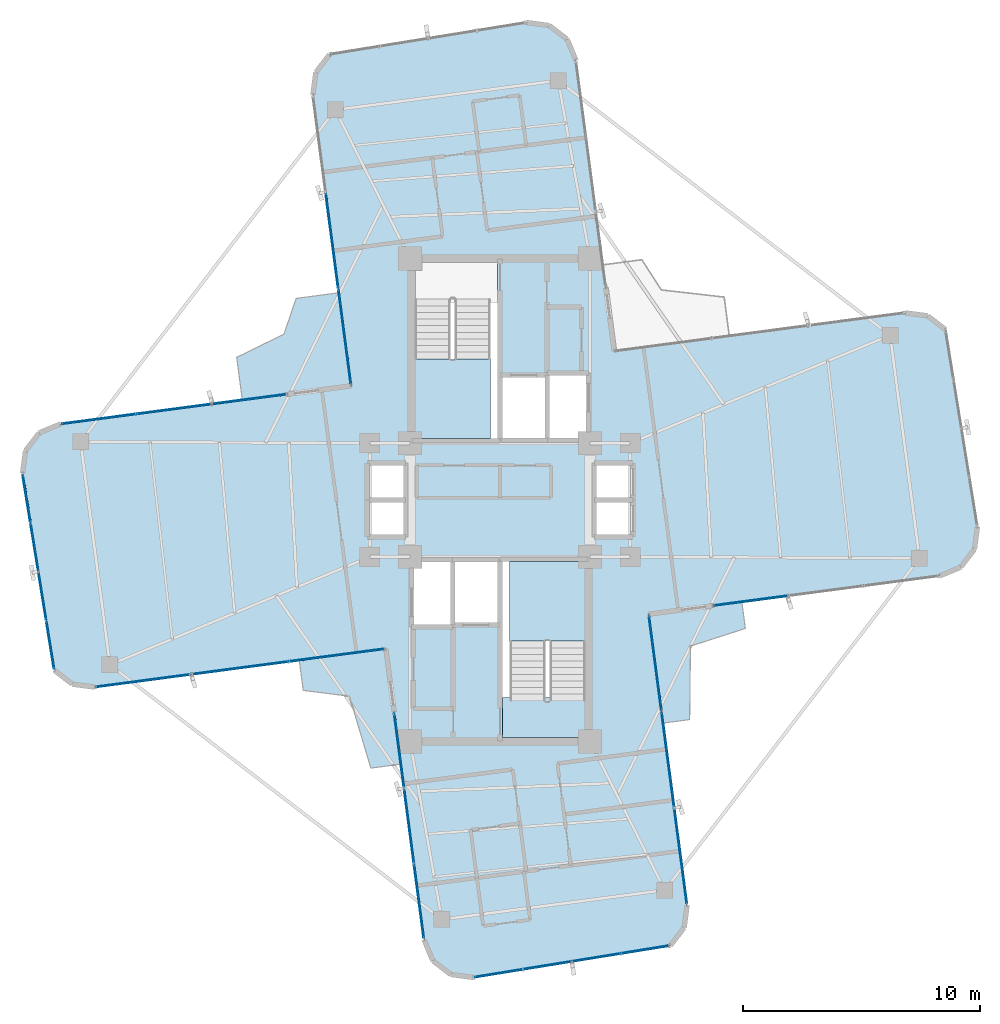
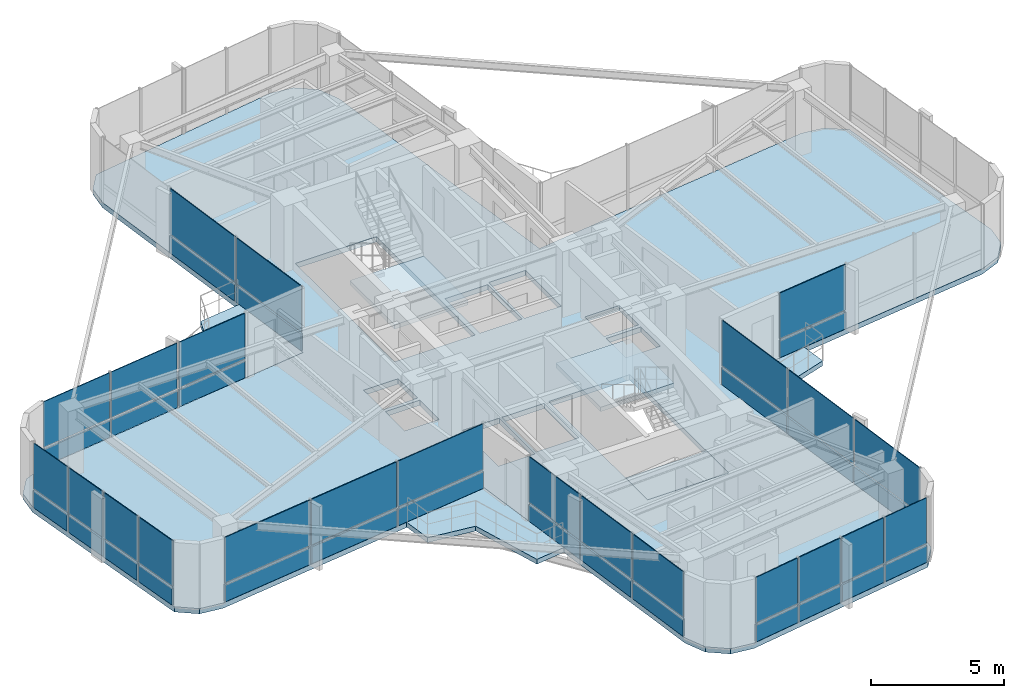
# One storey, part 17 of 22: 46 plates, 7 slabs, 10 elements without a shape of their own.
"""IFC4 building model written with IfcOpenShell, lengths in metres."""

import ifcopenshell
import ifcopenshell.guid

model = None  # the IFC model being written
_history = None  # IfcOwnerHistory: only IFC2X3 demands one
_inside = {}  # id of a spatial element -> (the spatial element, [elements in it])
_under = {}  # id of a project, library or spatial element -> (it, [spatial elements below it])
_declared = {}  # id of a project -> (the project, [libraries it declares])
_typed = {}  # id of a type object -> (the type object, [elements of that type])
_made_of = {}  # id of a material, layer set ... -> (it, [elements and type objects made of it])


def new_model(schema):
    """Start an empty IFC model of exactly this schema.

    Asked for "IFC4X3", IfcOpenShell would pick the latest addendum, in which some entities
    have other attributes; the version numbers below select the first issue.
    IFC2X3 requires an IfcOwnerHistory on every rooted entity: one is made here for all.
    """
    global model, _history
    if schema == "IFC4X3":
        model = ifcopenshell.file(schema_version=(4, 3, 0, 0))
    else:
        model = ifcopenshell.file(schema=schema)
    _inside.clear()
    _under.clear()
    _declared.clear()
    _typed.clear()
    _made_of.clear()
    _history = None
    if model.schema == "IFC2X3":
        org = make("IfcOrganization", Name="unknown")
        user = make(
            "IfcPersonAndOrganization",
            ThePerson=make("IfcPerson", FamilyName="unknown"),
            TheOrganization=org,
        )
        app = make(
            "IfcApplication",
            ApplicationDeveloper=org,
            Version="unknown",
            ApplicationFullName="unknown",
            ApplicationIdentifier="unknown",
        )
        _history = make(
            "IfcOwnerHistory",
            OwningUser=user,
            OwningApplication=app,
            ChangeAction="ADDED",
            CreationDate=0,
        )
    return model


def make(cls, **values):
    """One entity of the class cls with the attributes given. An attribute that is None is left unset."""
    return model.create_entity(
        cls, **{name: value for name, value in values.items() if value is not None}
    )


def rooted(cls, **values):
    """An entity with a GlobalId (a new one), such as an element, a storey or a relation."""
    return make(cls, GlobalId=ifcopenshell.guid.new(), OwnerHistory=_history, **values)


def si_unit(unit_type, name, prefix=None):
    """IfcSIUnit, for example si_unit("LENGTHUNIT", "METRE", prefix="MILLI")."""
    return make("IfcSIUnit", UnitType=unit_type, Prefix=prefix, Name=name)


def assignment(units):
    """IfcUnitAssignment: the units of a project."""
    return None if units is None else make("IfcUnitAssignment", Units=units)


def point(xyz):
    """IfcCartesianPoint."""
    return None if xyz is None else make("IfcCartesianPoint", Coordinates=xyz)


def direction(xyz):
    """IfcDirection."""
    return None if xyz is None else make("IfcDirection", DirectionRatios=xyz)


def frame(location, z_axis=None, x_axis=None):
    """IfcAxis2Placement3D, a coordinate frame: its origin and axes. An axis left out is left unset."""
    return make(
        "IfcAxis2Placement3D",
        Location=point(location),
        Axis=direction(z_axis),
        RefDirection=direction(x_axis),
    )


def frame_2d(location, x_axis=None):
    """IfcAxis2Placement2D, a coordinate frame in the plane: its origin and x axis."""
    return make(
        "IfcAxis2Placement2D", Location=point(location), RefDirection=direction(x_axis)
    )


def origin():
    """The frame at (0, 0, 0) with its axes left unset."""
    return frame((0.0, 0.0, 0.0))


def origin_2d():
    """The frame at (0, 0) in the plane with its x axis left unset."""
    return frame_2d((0.0, 0.0))


def place(relative_to, where):
    """IfcLocalPlacement: puts the frame where relative to a parent placement (None: the world)."""
    return make(
        "IfcLocalPlacement", PlacementRelTo=relative_to, RelativePlacement=where
    )


def context(
    kind, dimensions, precision=None, world=None, true_north=None, identifier=None
):
    """IfcGeometricRepresentationContext, for example the 3D "Model" context."""
    return make(
        "IfcGeometricRepresentationContext",
        ContextIdentifier=identifier,
        ContextType=kind,
        CoordinateSpaceDimension=dimensions,
        Precision=precision,
        WorldCoordinateSystem=world,
        TrueNorth=true_north,
    )


def subcontext(parent, identifier, kind, view, scale=None):
    """IfcGeometricRepresentationSubContext, for example "Body" below "Model"."""
    return make(
        "IfcGeometricRepresentationSubContext",
        ContextIdentifier=identifier,
        ContextType=kind,
        ParentContext=parent,
        TargetScale=scale,
        TargetView=view,
    )


def project(units=None, contexts=None):
    """IfcProject with its units and contexts."""
    return rooted(
        "IfcProject",
        Name="project",
        RepresentationContexts=contexts,
        UnitsInContext=assignment(units),
    )


def spatial(cls, under=None, at=None, **own):
    """A site, building, storey or space (cls), placed at a placement, below another one or the project."""
    s = rooted(cls, ObjectPlacement=at, **own)
    if under is not None:
        _under.setdefault(under.id(), (under, []))[1].append(s)
    return s


def polyline(points):
    """IfcPolyline through the points."""
    return make("IfcPolyline", Points=[point(p) for p in points])


def profile(cls, at=None, kind="AREA", **sizes):
    """A parametric profile (cls). Its sizes go by their IFC names, for example OverallWidth=200.0."""
    return make(cls, ProfileType=kind, Position=at, **sizes)


def rectangle(**sizes):
    """IfcRectangleProfileDef."""
    return profile("IfcRectangleProfileDef", **sizes)


def outline(outer, holes=None, kind="AREA"):
    """IfcArbitraryClosedProfileDef: a profile drawn as a closed curve; with holes, ...WithVoids."""
    if holes is None:
        return make("IfcArbitraryClosedProfileDef", ProfileType=kind, OuterCurve=outer)
    return make(
        "IfcArbitraryProfileDefWithVoids",
        ProfileType=kind,
        OuterCurve=outer,
        InnerCurves=holes,
    )


def extrude(swept, where, along, depth):
    """IfcExtrudedAreaSolid: the profile swept, set in the frame where, extruded along a direction by depth."""
    return make(
        "IfcExtrudedAreaSolid",
        SweptArea=swept,
        Position=where,
        ExtrudedDirection=direction(along),
        Depth=depth,
    )


def shape(context_of_items, identifier, shape_type, items):
    """IfcShapeRepresentation: the items that make up one representation, for example the "Body"."""
    return make(
        "IfcShapeRepresentation",
        ContextOfItems=context_of_items,
        RepresentationIdentifier=identifier,
        RepresentationType=shape_type,
        Items=items,
    )


def source(mapping_origin, context_of_items, identifier, shape_type, items):
    """IfcRepresentationMap: a shape defined once, which mapped items show again and again."""
    return make(
        "IfcRepresentationMap",
        MappingOrigin=mapping_origin,
        MappedRepresentation=shape(context_of_items, identifier, shape_type, items),
    )


def transform(
    local_origin,
    x_axis=None,
    y_axis=None,
    z_axis=None,
    scale=None,
    scale2=None,
    scale3=None,
    uniform=True,
):
    """IfcCartesianTransformationOperator3D, or its non-uniform kind. x_axis, y_axis, z_axis: its Axis1, 2, 3."""
    if uniform:
        return make(
            "IfcCartesianTransformationOperator3D",
            Axis1=direction(x_axis),
            Axis2=direction(y_axis),
            LocalOrigin=point(local_origin),
            Scale=scale,
            Axis3=direction(z_axis),
        )
    return make(
        "IfcCartesianTransformationOperator3DnonUniform",
        Axis1=direction(x_axis),
        Axis2=direction(y_axis),
        LocalOrigin=point(local_origin),
        Scale=scale,
        Axis3=direction(z_axis),
        Scale2=scale2,
        Scale3=scale3,
    )


def mapped(mapping_source, mapping_target):
    """IfcMappedItem: shows the shape of a source again, moved by a transform."""
    return make(
        "IfcMappedItem", MappingSource=mapping_source, MappingTarget=mapping_target
    )


def material(Name=None, Category=None):
    """IfcMaterial."""
    return make("IfcMaterial", Name=Name, Category=Category)


def layer(
    of_material, thickness, ventilated=None, Name=None, Category=None, Priority=None
):
    """IfcMaterialLayer: one layer of a wall or slab, of a material (None: an air gap)."""
    return make(
        "IfcMaterialLayer",
        Material=of_material,
        LayerThickness=thickness,
        IsVentilated=ventilated,
        Name=Name,
        Category=Category,
        Priority=Priority,
    )


def layer_set(layers, Name=None):
    """IfcMaterialLayerSet."""
    return make("IfcMaterialLayerSet", MaterialLayers=layers, LayerSetName=Name)


def made_of(thing, what):
    """Note that an element or type object is made of a material, layer set ...; save() writes the relation."""
    if what is not None:
        _made_of.setdefault(what.id(), (what, []))[1].append(thing)
    return thing


def type_object(cls, material=None, **own):
    """A type object (cls), such as IfcWallType, which elements share."""
    return made_of(rooted(cls, **own), material)


def element(
    cls,
    number,
    at=None,
    inside=None,
    cuts=None,
    type_object=None,
    material=None,
    context=None,
    identifier="Body",
    shape_type=None,
    held_by="IfcProductDefinitionShape",
    body=None,
    shapes=None,
    **own,
):
    """One element of the class cls, such as IfcWall. Its Tag is "e" and its number.

    at: its placement. inside: the storey or other place that contains it. cuts: it is an
    opening in that element (IfcRelVoidsElement). A single representation is given by context,
    identifier, shape_type and body (its items); several are given by shapes. held_by: the class
    of the entity that holds the representations. save() writes the other relations.
    """
    e = rooted(cls, Tag="e%d" % number, ObjectPlacement=at, **own)
    if body is not None:
        shapes = [shape(context, identifier, shape_type, body)]
    if shapes is not None:
        e.Representation = make(held_by, Representations=shapes)
    if inside is not None:
        _inside.setdefault(inside.id(), (inside, []))[1].append(e)
    if cuts is not None:
        rooted(
            "IfcRelVoidsElement", RelatingBuildingElement=cuts, RelatedOpeningElement=e
        )
    if type_object is not None:
        _typed.setdefault(type_object.id(), (type_object, []))[1].append(e)
    return made_of(e, material)


def aggregate(whole, parts):
    """IfcRelAggregates: a whole, such as a stair, and the parts it consists of."""
    return rooted("IfcRelAggregates", RelatingObject=whole, RelatedObjects=parts)


def save(model, path):
    """Write the relations noted so far, then the file.

    IfcRelAggregates (storeys below a building ...), IfcRelContainedInSpatialStructure (elements
    in a storey), IfcRelDefinesByType, IfcRelAssociatesMaterial and IfcRelDeclares: one each for
    every whole, place, type object, material and project.
    """
    for whole, parts in _under.values():
        aggregate(whole, parts)
    for where, things in _inside.values():
        rooted(
            "IfcRelContainedInSpatialStructure",
            RelatedElements=things,
            RelatingStructure=where,
        )
    for kind, things in _typed.values():
        rooted("IfcRelDefinesByType", RelatedObjects=things, RelatingType=kind)
    for what, things in _made_of.values():
        rooted("IfcRelAssociatesMaterial", RelatedObjects=things, RelatingMaterial=what)
    for by, libraries in _declared.values():
        rooted("IfcRelDeclares", RelatingContext=by, RelatedDefinitions=libraries)
    model.write(path)


model = new_model("IFC4")

# Units and contexts
model_context = context("Model", 3, precision=1e-05, world=origin(), true_north=direction((0.0, 1.0)))
body_context = subcontext(model_context, "Body", "Model", "MODEL_VIEW")
ifc_project = project(units=[si_unit("LENGTHUNIT", "METRE"), si_unit("AREAUNIT", "SQUARE_METRE"), si_unit("VOLUMEUNIT", "CUBIC_METRE"), si_unit("PLANEANGLEUNIT", "RADIAN"), si_unit("MASSUNIT", "GRAM", prefix="KILO")], contexts=[model_context])

# Site, building, storey
site_placement = place(None, origin())
site = spatial("IfcSite", under=ifc_project, at=site_placement, CompositionType="ELEMENT")
building_placement = place(site_placement, origin())
building = spatial("IfcBuilding", under=site, at=building_placement, Name="Sahyath Konkavel Grand Hotel", CompositionType="ELEMENT")
storey_placement = place(building_placement, frame((0.0, 0.0, 261.25)))
storey = spatial("IfcBuildingStorey", under=building, at=storey_placement, Name="L73", CompositionType="ELEMENT", Elevation=261.25)

# Slabs
ifc_material_1 = material(Name="Concrete C40/50", Category="concrete")
ifc_layer_1 = layer(ifc_material_1, 0.239990234375)
ifc_layer_set_1 = layer_set([ifc_layer_1], Name="Concrete C40/50")
slab_type_1 = type_object("IfcSlabType", Name="SLB-240", PredefinedType="FLOOR", material=ifc_layer_set_1)
slab_1_placement = place(storey_placement, frame((0.0, 0.0, -0.239990234375)))
element("IfcSlab", 1, at=slab_1_placement, inside=storey, type_object=slab_type_1, Name="L73 Structural Floor Slab", PredefinedType="FLOOR", context=body_context, shape_type="SweptSolid", body=[
    extrude(outline(polyline([(6.282958984375, -4.821044921875), (18.56689453125, -3.203857421875), (19.451904296875, -2.83740234375), (20.03466796875, -2.07763671875), (20.15966796875, -1.12841796875), (18.814208984375, 7.1923828125), (18.0546875, 7.775390625), (17.10498046875, 7.900390625), (4.821044921875, 6.282958984375), (3.203857421875, 18.56689453125), (2.83740234375, 19.451904296875), (2.07763671875, 20.03466796875), (1.12841796875, 20.15966796875), (-7.1923828125, 18.814208984375), (-7.775390625, 18.0546875), (-7.900390625, 17.10498046875), (-6.282958984375, 4.821044921875), (-18.56689453125, 3.203857421875), (-19.451904296875, 2.83740234375), (-20.03466796875, 2.07763671875), (-20.15966796875, 1.12841796875), (-18.814208984375, -7.1923828125), (-18.0546875, -7.775390625), (-17.10498046875, -7.900390625), (-4.821044921875, -6.282958984375), (-3.203857421875, -18.56689453125), (-2.83740234375, -19.451904296875), (-2.07763671875, -20.03466796875), (-1.12841796875, -20.15966796875), (7.1923828125, -18.814208984375), (7.775390625, -18.0546875), (7.900390625, -17.10498046875), (6.282958984375, -4.821044921875)]), holes=[polyline([(-3.6201171875, 2.580078125), (-0.10009765625, 2.580078125), (-0.10009765625, 10.02001953125), (-3.6201171875, 10.02001953125), (-3.6201171875, 2.580078125)]), polyline([(0.10009765625, -10.02001953125), (3.6201171875, -10.02001953125), (3.6201171875, -2.580078125), (0.10009765625, -2.580078125), (0.10009765625, -10.02001953125)]), polyline([(0.10009765625, 2.60009765625), (1.949951171875, 2.60009765625), (1.949951171875, 5.199951171875), (0.10009765625, 5.199951171875), (0.10009765625, 2.60009765625)]), polyline([(-1.949951171875, -5.199951171875), (-0.10009765625, -5.199951171875), (-0.10009765625, -2.60009765625), (-1.949951171875, -2.60009765625), (-1.949951171875, -5.199951171875)]), polyline([(2.050048828125, 2.60009765625), (3.64990234375, 2.60009765625), (3.64990234375, 5.300048828125), (2.050048828125, 5.300048828125), (2.050048828125, 2.60009765625)]), polyline([(-3.64990234375, -5.300048828125), (-2.050048828125, -5.300048828125), (-2.050048828125, -2.60009765625), (-3.64990234375, -2.60009765625), (-3.64990234375, -5.300048828125)]), polyline([(4.050048828125, 0.080078125), (5.550048828125, 0.080078125), (5.550048828125, 1.5400390625), (4.050048828125, 1.5400390625), (4.050048828125, 0.080078125)]), polyline([(4.050048828125, -1.5400390625), (5.550048828125, -1.5400390625), (5.550048828125, -0.080078125), (4.050048828125, -0.080078125), (4.050048828125, -1.5400390625)]), polyline([(-5.550048828125, 0.080078125), (-4.050048828125, 0.080078125), (-4.050048828125, 1.5400390625), (-5.550048828125, 1.5400390625), (-5.550048828125, 0.080078125)]), polyline([(-5.550048828125, -1.5400390625), (-4.050048828125, -1.5400390625), (-4.050048828125, -0.080078125), (-5.550048828125, -0.080078125), (-5.550048828125, -1.5400390625)])]), origin(), (0.0, 0.0, 1.0), 0.239990234375),
])
ifc_layer_2 = layer(ifc_material_1, 0.219970703125)
ifc_layer_set_2 = layer_set([ifc_layer_2], Name="Concrete C40/50")
slab_type_2 = type_object("IfcSlabType", Name="SLB-BALCONY-220", PredefinedType="FLOOR", material=ifc_layer_set_2)
slab_2_placement = place(storey_placement, frame((0.0, 0.0, -0.219970703125)))
element("IfcSlab", 2, at=slab_2_placement, inside=storey, type_object=slab_type_2, Name="L73 Winter-Garden Balcony NW", PredefinedType="FLOOR", context=body_context, shape_type="SweptSolid", body=[
    extrude(outline(polyline([(-6.282958984375, 4.821044921875), (-6.80029296875, 8.750244140625), (-8.60791015625, 8.51220703125), (-9.123779296875, 7.0009765625), (-11.118408203125, 6.023193359375), (-10.88037109375, 4.2158203125), (-6.282958984375, 4.821044921875)])), origin(), (0.0, 0.0, 1.0), 0.219970703125),
])
slab_3_placement = place(storey_placement, frame((0.0, 0.0, -0.219970703125)))
element("IfcSlab", 3, at=slab_3_placement, inside=storey, type_object=slab_type_2, Name="L73 Winter-Garden Balcony SW", PredefinedType="FLOOR", context=body_context, shape_type="SweptSolid", body=[
    extrude(outline(polyline([(-4.821044921875, -6.282958984375), (-8.4765625, -6.764404296875), (-8.308837890625, -8.03857421875), (-6.35791015625, -8.285888671875), (-5.4541015625, -11.32177734375), (-4.179931640625, -11.154052734375), (-4.821044921875, -6.282958984375)])), origin(), (0.0, 0.0, 1.0), 0.219970703125),
])
slab_4_placement = place(storey_placement, frame((0.0, 0.0, -0.219970703125)))
element("IfcSlab", 4, at=slab_4_placement, inside=storey, type_object=slab_type_2, Name="L73 Winter-Garden Balcony SE", PredefinedType="FLOOR", context=body_context, shape_type="SweptSolid", body=[
    extrude(outline(polyline([(6.282958984375, -4.821044921875), (6.88818359375, -9.41845703125), (8.007568359375, -9.27099609375), (8.042236328125, -6.171142578125), (10.359619140625, -5.423095703125), (10.212158203125, -4.303955078125), (6.282958984375, -4.821044921875)])), origin(), (0.0, 0.0, 1.0), 0.219970703125),
])

# Stair, slab
stair_type = type_object("IfcStairType", Name="STR-ST16-335", PredefinedType="HALF_TURN_STAIR", material=ifc_material_1)
stair_1_placement = place(storey_placement, origin())
stair_1 = element("IfcStair", 5, at=stair_1_placement, inside=storey, type_object=stair_type, Name="L73 North Core Smokeproof Exit Stair ST-1", PredefinedType="HALF_TURN_STAIR")
ifc_layer_3 = layer(ifc_material_1, 0.199951171875)
ifc_layer_set_3 = layer_set([ifc_layer_3], Name="Concrete C40/50")
slab_type_3 = type_object("IfcSlabType", Name="SLB-STAIR-LND", PredefinedType="LANDING", material=ifc_layer_set_3)
slab_5_placement = place(storey_placement, frame((0.0, 0.0, 1.47509765625)))
slab_5 = element("IfcSlab", 6, at=slab_5_placement, type_object=slab_type_3, Name="ST-1 landing 1", PredefinedType="LANDING", context=body_context, shape_type="SweptSolid", body=[
    extrude(outline(polyline([(-3.60009765625, 5.9599609375), (-3.60009765625, 2.60009765625), (-0.39990234375, 2.60009765625), (-0.39990234375, 5.9599609375), (-3.60009765625, 5.9599609375)])), origin(), (0.0, 0.0, 1.0), 0.199951171875),
])
aggregate(stair_1, [slab_5])

stair_2_placement = place(storey_placement, origin())
stair_2 = element("IfcStair", 7, at=stair_2_placement, inside=storey, type_object=stair_type, Name="L73 South Core Smokeproof Exit Stair ST-2", PredefinedType="HALF_TURN_STAIR")
slab_6_placement = place(storey_placement, frame((0.0, 0.0, 1.47509765625)))
slab_6 = element("IfcSlab", 8, at=slab_6_placement, type_object=slab_type_3, Name="ST-2 landing 1", PredefinedType="LANDING", context=body_context, shape_type="SweptSolid", body=[
    extrude(outline(polyline([(3.60009765625, -5.9599609375), (3.60009765625, -2.60009765625), (0.39990234375, -2.60009765625), (0.39990234375, -5.9599609375), (3.60009765625, -5.9599609375)])), origin(), (0.0, 0.0, 1.0), 0.199951171875),
])
aggregate(stair_2, [slab_6])

# Slab
slab_7_placement = place(storey_placement, frame((0.0, 0.0, -0.199951171875)))
element("IfcSlab", 9, at=slab_7_placement, inside=storey, type_object=slab_type_3, Name="L73 Stair ST-2 Floor Landing Slab", PredefinedType="LANDING", context=body_context, shape_type="SweptSolid", body=[
    extrude(outline(polyline([(0.10009765625, -10.02001953125), (3.6201171875, -10.02001953125), (3.6201171875, -8.35009765625), (0.10009765625, -8.35009765625), (0.10009765625, -10.02001953125)])), origin(), (0.0, 0.0, 1.0), 0.199951171875),
])

# Curtain wall, plate
ifc_material_2 = material(Name="Anodised Bronze Aluminium & Low-E Glazing", Category="aluminium")
curtain_wall_type = type_object("IfcCurtainWallType", Name="CW-ZONE4", PredefinedType="NOTDEFINED", material=ifc_material_2)
curtain_wall_1_placement = place(storey_placement, origin())
curtain_wall_1 = element("IfcCurtainWall", 10, at=curtain_wall_1_placement, inside=storey, type_object=curtain_wall_type, Name="L73 Unitised Curtain Wall F0", PredefinedType="NOTDEFINED")
ifc_material_3 = material(Name="Warm Buff Sandstone Cladding", Category="masonry")
ifc_layer_4 = layer(ifc_material_3, 0.074951171875)
ifc_layer_set_4 = layer_set([ifc_layer_4], Name="Warm Buff Sandstone Cladding")
plate_type_1 = type_object("IfcPlateType", Name="PNL-SPANDREL-STONE", PredefinedType="SHEET", material=ifc_layer_set_4)
shared_shape_1 = source(origin(), body_context, "Body", "SweptSolid", [
    extrude(rectangle(XDim=3.123291015625, YDim=0.074951171875, at=origin_2d()), origin(), (0.0, 0.0, 1.0), 0.77001953125),
])
plate_1_placement = place(storey_placement, frame((10.587646484375, -4.25439453125, 0.0400390625), z_axis=(0.0, 0.0, 1.0), x_axis=(0.991444861374, 0.13052619222, 0.0)))
plate_1 = element("IfcPlate", 11, at=plate_1_placement, type_object=plate_type_1, Name="L73 Sandstone Relief Spandrel Panel F0-0", PredefinedType="SHEET", context=body_context, shape_type="MappedRepresentation", body=[
    mapped(shared_shape_1, transform((0.0, 0.0, 0.0), scale=1.0)),
])

# Curtain wall, plates
curtain_wall_2_placement = place(storey_placement, origin())
curtain_wall_2 = element("IfcCurtainWall", 12, at=curtain_wall_2_placement, inside=storey, type_object=curtain_wall_type, Name="L73 Unitised Curtain Wall F16", PredefinedType="NOTDEFINED")
plate_2_placement = place(storey_placement, frame((-10.587646484375, 4.25439453125, 0.0400390625), z_axis=(0.0, 0.0, 1.0), x_axis=(-0.991444861374, -0.13052619222, 0.0)))
plate_2 = element("IfcPlate", 13, at=plate_2_placement, type_object=plate_type_1, Name="L73 Sandstone Relief Spandrel Panel F16-0", PredefinedType="SHEET", context=body_context, shape_type="MappedRepresentation", body=[
    mapped(shared_shape_1, transform((0.0, 0.0, 0.0), scale=1.0)),
])
plate_3_placement = place(storey_placement, frame((-13.763427734375, 3.836181640625, 0.0400390625), z_axis=(0.0, 0.0, 1.0), x_axis=(-0.991444861374, -0.13052619222, 0.0)))
plate_3 = element("IfcPlate", 14, at=plate_3_placement, type_object=plate_type_1, Name="L73 Sandstone Relief Spandrel Panel F16-1", PredefinedType="SHEET", context=body_context, shape_type="MappedRepresentation", body=[
    mapped(shared_shape_1, transform((0.0, 0.0, 0.0), scale=1.0)),
])
plate_4_placement = place(storey_placement, frame((-16.939453125, 3.418212890625, 0.0400390625), z_axis=(0.0, 0.0, 1.0), x_axis=(-0.991444861374, -0.13052619222, 0.0)))
plate_4 = element("IfcPlate", 15, at=plate_4_placement, type_object=plate_type_1, Name="L73 Sandstone Relief Spandrel Panel F16-2", PredefinedType="SHEET", context=body_context, shape_type="MappedRepresentation", body=[
    mapped(shared_shape_1, transform((0.0, 0.0, 0.0), scale=1.0)),
])

curtain_wall_3_placement = place(storey_placement, origin())
curtain_wall_3 = element("IfcCurtainWall", 16, at=curtain_wall_3_placement, inside=storey, type_object=curtain_wall_type, Name="L73 Unitised Curtain Wall F24", PredefinedType="NOTDEFINED")
plate_5_placement = place(storey_placement, frame((-4.25439453125, -10.587646484375, 0.0400390625), z_axis=(0.0, 0.0, 1.0), x_axis=(0.13052619222, -0.991444861374, 0.0)))
plate_5 = element("IfcPlate", 17, at=plate_5_placement, type_object=plate_type_1, Name="L73 Sandstone Relief Spandrel Panel F24-0", PredefinedType="SHEET", context=body_context, shape_type="MappedRepresentation", body=[
    mapped(shared_shape_1, transform((0.0, 0.0, 0.0), scale=1.0)),
])
plate_6_placement = place(storey_placement, frame((-3.836181640625, -13.763427734375, 0.0400390625), z_axis=(0.0, 0.0, 1.0), x_axis=(0.13052619222, -0.991444861374, 0.0)))
plate_6 = element("IfcPlate", 18, at=plate_6_placement, type_object=plate_type_1, Name="L73 Sandstone Relief Spandrel Panel F24-1", PredefinedType="SHEET", context=body_context, shape_type="MappedRepresentation", body=[
    mapped(shared_shape_1, transform((0.0, 0.0, 0.0), scale=1.0)),
])
plate_7_placement = place(storey_placement, frame((-3.418212890625, -16.939453125, 0.0400390625), z_axis=(0.0, 0.0, 1.0), x_axis=(0.13052619222, -0.991444861374, 0.0)))
plate_7 = element("IfcPlate", 19, at=plate_7_placement, type_object=plate_type_1, Name="L73 Sandstone Relief Spandrel Panel F24-2", PredefinedType="SHEET", context=body_context, shape_type="MappedRepresentation", body=[
    mapped(shared_shape_1, transform((0.0, 0.0, 0.0), scale=1.0)),
])

curtain_wall_4_placement = place(storey_placement, origin())
curtain_wall_4 = element("IfcCurtainWall", 20, at=curtain_wall_4_placement, inside=storey, type_object=curtain_wall_type, Name="L73 Unitised Curtain Wall F20", PredefinedType="NOTDEFINED")
shared_shape_2 = source(origin(), body_context, "Body", "SweptSolid", [
    extrude(rectangle(XDim=2.007080078125, YDim=0.074951171875, at=origin_2d()), origin(), (0.0, 0.0, 1.0), 0.77001953125),
])
plate_8_placement = place(storey_placement, frame((-19.98681640625, 0.05859375, 0.0400390625), z_axis=(0.0, 0.0, 1.0), x_axis=(0.159622750546, -0.987178088041, 0.0)))
plate_8 = element("IfcPlate", 21, at=plate_8_placement, type_object=plate_type_1, Name="L73 Sandstone Relief Spandrel Panel F20-0", PredefinedType="SHEET", context=body_context, shape_type="MappedRepresentation", body=[
    mapped(shared_shape_2, transform((0.0, 0.0, 0.0), scale=1.0)),
])
plate_9_placement = place(storey_placement, frame((-19.653564453125, -2.001708984375, 0.0400390625), z_axis=(0.0, 0.0, 1.0), x_axis=(0.159622750546, -0.987178088041, 0.0)))
plate_9 = element("IfcPlate", 22, at=plate_9_placement, type_object=plate_type_1, Name="L73 Sandstone Relief Spandrel Panel F20-1", PredefinedType="SHEET", context=body_context, shape_type="MappedRepresentation", body=[
    mapped(shared_shape_2, transform((0.0, 0.0, 0.0), scale=1.0)),
])
plate_10_placement = place(storey_placement, frame((-19.3203125, -4.062255859375, 0.0400390625), z_axis=(0.0, 0.0, 1.0), x_axis=(0.159622750546, -0.987178088041, 0.0)))
plate_10 = element("IfcPlate", 23, at=plate_10_placement, type_object=plate_type_1, Name="L73 Sandstone Relief Spandrel Panel F20-2", PredefinedType="SHEET", context=body_context, shape_type="MappedRepresentation", body=[
    mapped(shared_shape_2, transform((0.0, 0.0, 0.0), scale=1.0)),
])
plate_11_placement = place(storey_placement, frame((-18.9873046875, -6.12255859375, 0.0400390625), z_axis=(0.0, 0.0, 1.0), x_axis=(0.159622750546, -0.987178088041, 0.0)))
plate_11 = element("IfcPlate", 24, at=plate_11_placement, type_object=plate_type_1, Name="L73 Sandstone Relief Spandrel Panel F20-3", PredefinedType="SHEET", context=body_context, shape_type="MappedRepresentation", body=[
    mapped(shared_shape_2, transform((0.0, 0.0, 0.0), scale=1.0)),
])

curtain_wall_5_placement = place(storey_placement, origin())
curtain_wall_5 = element("IfcCurtainWall", 25, at=curtain_wall_5_placement, inside=storey, type_object=curtain_wall_type, Name="L73 Unitised Curtain Wall F28", PredefinedType="NOTDEFINED")
plate_12_placement = place(storey_placement, frame((-0.05859375, -19.98681640625, 0.0400390625), z_axis=(0.0, 0.0, 1.0), x_axis=(0.987178088041, 0.159622750546, 0.0)))
plate_12 = element("IfcPlate", 26, at=plate_12_placement, type_object=plate_type_1, Name="L73 Sandstone Relief Spandrel Panel F28-0", PredefinedType="SHEET", context=body_context, shape_type="MappedRepresentation", body=[
    mapped(shared_shape_2, transform((0.0, 0.0, 0.0), scale=1.0)),
])
plate_13_placement = place(storey_placement, frame((2.001708984375, -19.653564453125, 0.0400390625), z_axis=(0.0, 0.0, 1.0), x_axis=(0.987178088041, 0.159622750546, 0.0)))
plate_13 = element("IfcPlate", 27, at=plate_13_placement, type_object=plate_type_1, Name="L73 Sandstone Relief Spandrel Panel F28-1", PredefinedType="SHEET", context=body_context, shape_type="MappedRepresentation", body=[
    mapped(shared_shape_2, transform((0.0, 0.0, 0.0), scale=1.0)),
])
plate_14_placement = place(storey_placement, frame((4.062255859375, -19.3203125, 0.0400390625), z_axis=(0.0, 0.0, 1.0), x_axis=(0.987178088041, 0.159622750546, 0.0)))
plate_14 = element("IfcPlate", 28, at=plate_14_placement, type_object=plate_type_1, Name="L73 Sandstone Relief Spandrel Panel F28-2", PredefinedType="SHEET", context=body_context, shape_type="MappedRepresentation", body=[
    mapped(shared_shape_2, transform((0.0, 0.0, 0.0), scale=1.0)),
])
plate_15_placement = place(storey_placement, frame((6.12255859375, -18.9873046875, 0.0400390625), z_axis=(0.0, 0.0, 1.0), x_axis=(0.987178088041, 0.159622750546, 0.0)))
plate_15 = element("IfcPlate", 29, at=plate_15_placement, type_object=plate_type_1, Name="L73 Sandstone Relief Spandrel Panel F28-3", PredefinedType="SHEET", context=body_context, shape_type="MappedRepresentation", body=[
    mapped(shared_shape_2, transform((0.0, 0.0, 0.0), scale=1.0)),
])

curtain_wall_6_placement = place(storey_placement, origin())
curtain_wall_6 = element("IfcCurtainWall", 30, at=curtain_wall_6_placement, inside=storey, type_object=curtain_wall_type, Name="L73 Unitised Curtain Wall F15", PredefinedType="NOTDEFINED")
shared_shape_3 = source(origin(), body_context, "Body", "SweptSolid", [
    extrude(rectangle(XDim=4.023193359375, YDim=0.074951171875, at=origin_2d()), origin(), (0.0, 0.0, 1.0), 0.77001953125),
])
plate_16_placement = place(storey_placement, frame((-7.091552734375, 10.963134765625, 0.0400390625), z_axis=(0.0, 0.0, 1.0), x_axis=(0.13052619222, -0.991444861374, 0.0)))
plate_16 = element("IfcPlate", 31, at=plate_16_placement, type_object=plate_type_1, Name="L73 Sandstone Relief Spandrel Panel F15-1", PredefinedType="SHEET", context=body_context, shape_type="MappedRepresentation", body=[
    mapped(shared_shape_3, transform((0.0, 0.0, 0.0), scale=1.0)),
])
plate_17_placement = place(storey_placement, frame((-6.555908203125, 6.89501953125, 0.0400390625), z_axis=(0.0, 0.0, 1.0), x_axis=(0.13052619222, -0.991444861374, 0.0)))
plate_17 = element("IfcPlate", 32, at=plate_17_placement, type_object=plate_type_1, Name="L73 Sandstone Relief Spandrel Panel F15-2", PredefinedType="SHEET", context=body_context, shape_type="MappedRepresentation", body=[
    mapped(shared_shape_3, transform((0.0, 0.0, 0.0), scale=1.0)),
])

curtain_wall_7_placement = place(storey_placement, origin())
curtain_wall_7 = element("IfcCurtainWall", 33, at=curtain_wall_7_placement, inside=storey, type_object=curtain_wall_type, Name="L73 Unitised Curtain Wall F23", PredefinedType="NOTDEFINED")
plate_18_placement = place(storey_placement, frame((-15.03125, -7.627197265625, 0.0400390625), z_axis=(0.0, 0.0, 1.0), x_axis=(0.991444861374, 0.13052619222, 0.0)))
plate_18 = element("IfcPlate", 34, at=plate_18_placement, type_object=plate_type_1, Name="L73 Sandstone Relief Spandrel Panel F23-0", PredefinedType="SHEET", context=body_context, shape_type="MappedRepresentation", body=[
    mapped(shared_shape_3, transform((0.0, 0.0, 0.0), scale=1.0)),
])
plate_19_placement = place(storey_placement, frame((-10.963134765625, -7.091552734375, 0.0400390625), z_axis=(0.0, 0.0, 1.0), x_axis=(0.991444861374, 0.13052619222, 0.0)))
plate_19 = element("IfcPlate", 35, at=plate_19_placement, type_object=plate_type_1, Name="L73 Sandstone Relief Spandrel Panel F23-1", PredefinedType="SHEET", context=body_context, shape_type="MappedRepresentation", body=[
    mapped(shared_shape_3, transform((0.0, 0.0, 0.0), scale=1.0)),
])
plate_20_placement = place(storey_placement, frame((-6.89501953125, -6.555908203125, 0.0400390625), z_axis=(0.0, 0.0, 1.0), x_axis=(0.991444861374, 0.13052619222, 0.0)))
plate_20 = element("IfcPlate", 36, at=plate_20_placement, type_object=plate_type_1, Name="L73 Sandstone Relief Spandrel Panel F23-2", PredefinedType="SHEET", context=body_context, shape_type="MappedRepresentation", body=[
    mapped(shared_shape_3, transform((0.0, 0.0, 0.0), scale=1.0)),
])

curtain_wall_8_placement = place(storey_placement, origin())
curtain_wall_8 = element("IfcCurtainWall", 37, at=curtain_wall_8_placement, inside=storey, type_object=curtain_wall_type, Name="L73 Unitised Curtain Wall F31", PredefinedType="NOTDEFINED")
plate_21_placement = place(storey_placement, frame((7.627197265625, -15.03125, 0.0400390625), z_axis=(0.0, 0.0, 1.0), x_axis=(-0.13052619222, 0.991444861374, 0.0)))
plate_21 = element("IfcPlate", 38, at=plate_21_placement, type_object=plate_type_1, Name="L73 Sandstone Relief Spandrel Panel F31-0", PredefinedType="SHEET", context=body_context, shape_type="MappedRepresentation", body=[
    mapped(shared_shape_3, transform((0.0, 0.0, 0.0), scale=1.0)),
])
plate_22_placement = place(storey_placement, frame((7.091552734375, -10.963134765625, 0.0400390625), z_axis=(0.0, 0.0, 1.0), x_axis=(-0.13052619222, 0.991444861374, 0.0)))
plate_22 = element("IfcPlate", 39, at=plate_22_placement, type_object=plate_type_1, Name="L73 Sandstone Relief Spandrel Panel F31-1", PredefinedType="SHEET", context=body_context, shape_type="MappedRepresentation", body=[
    mapped(shared_shape_3, transform((0.0, 0.0, 0.0), scale=1.0)),
])
plate_23_placement = place(storey_placement, frame((6.555908203125, -6.89501953125, 0.0400390625), z_axis=(0.0, 0.0, 1.0), x_axis=(-0.13052619222, 0.991444861374, 0.0)))
plate_23 = element("IfcPlate", 40, at=plate_23_placement, type_object=plate_type_1, Name="L73 Sandstone Relief Spandrel Panel F31-2", PredefinedType="SHEET", context=body_context, shape_type="MappedRepresentation", body=[
    mapped(shared_shape_3, transform((0.0, 0.0, 0.0), scale=1.0)),
])

# Plate
ifc_material_4 = material(Name="Low-E Solar Control Double Glazing", Category="glass")
ifc_layer_5 = layer(ifc_material_4, 0.035888671875)
ifc_layer_set_5 = layer_set([ifc_layer_5], Name="Low-E Solar Control Double Glazing")
plate_type_2 = type_object("IfcPlateType", Name="PNL-VISION-LOWE", PredefinedType="CURTAIN_PANEL", material=ifc_layer_set_5)
shared_shape_4 = source(origin(), body_context, "Body", "SweptSolid", [
    extrude(rectangle(XDim=3.123291015625, YDim=0.035888671875, at=origin_2d()), origin(), (0.0, 0.0, 1.0), 2.10009765625),
])
plate_24_placement = place(storey_placement, frame((10.587646484375, -4.25439453125, 0.889892578125), z_axis=(0.0, 0.0, 1.0), x_axis=(0.991444861374, 0.13052619222, 0.0)))
plate_24 = element("IfcPlate", 41, at=plate_24_placement, type_object=plate_type_2, Name="L73 Low-E Vision Glazing Panel F0-0", PredefinedType="CURTAIN_PANEL", context=body_context, shape_type="MappedRepresentation", body=[
    mapped(shared_shape_4, transform((0.0, 0.0, 0.0), scale=1.0)),
])

aggregate(curtain_wall_1, [plate_1, plate_24])

plate_25_placement = place(storey_placement, frame((-10.587646484375, 4.25439453125, 0.889892578125), z_axis=(0.0, 0.0, 1.0), x_axis=(-0.991444861374, -0.13052619222, 0.0)))
plate_25 = element("IfcPlate", 42, at=plate_25_placement, type_object=plate_type_2, Name="L73 Low-E Vision Glazing Panel F16-0", PredefinedType="CURTAIN_PANEL", context=body_context, shape_type="MappedRepresentation", body=[
    mapped(shared_shape_4, transform((0.0, 0.0, 0.0), scale=1.0)),
])

plate_26_placement = place(storey_placement, frame((-13.763427734375, 3.836181640625, 0.889892578125), z_axis=(0.0, 0.0, 1.0), x_axis=(-0.991444861374, -0.13052619222, 0.0)))
plate_26 = element("IfcPlate", 43, at=plate_26_placement, type_object=plate_type_2, Name="L73 Low-E Vision Glazing Panel F16-1", PredefinedType="CURTAIN_PANEL", context=body_context, shape_type="MappedRepresentation", body=[
    mapped(shared_shape_4, transform((0.0, 0.0, 0.0), scale=1.0)),
])

plate_27_placement = place(storey_placement, frame((-16.939453125, 3.418212890625, 0.889892578125), z_axis=(0.0, 0.0, 1.0), x_axis=(-0.991444861374, -0.13052619222, 0.0)))
plate_27 = element("IfcPlate", 44, at=plate_27_placement, type_object=plate_type_2, Name="L73 Low-E Vision Glazing Panel F16-2", PredefinedType="CURTAIN_PANEL", context=body_context, shape_type="MappedRepresentation", body=[
    mapped(shared_shape_4, transform((0.0, 0.0, 0.0), scale=1.0)),
])

aggregate(curtain_wall_2, [plate_2, plate_25, plate_3, plate_26, plate_4, plate_27])

plate_28_placement = place(storey_placement, frame((-4.25439453125, -10.587646484375, 0.889892578125), z_axis=(0.0, 0.0, 1.0), x_axis=(0.13052619222, -0.991444861374, 0.0)))
plate_28 = element("IfcPlate", 45, at=plate_28_placement, type_object=plate_type_2, Name="L73 Low-E Vision Glazing Panel F24-0", PredefinedType="CURTAIN_PANEL", context=body_context, shape_type="MappedRepresentation", body=[
    mapped(shared_shape_4, transform((0.0, 0.0, 0.0), scale=1.0)),
])

plate_29_placement = place(storey_placement, frame((-3.836181640625, -13.763427734375, 0.889892578125), z_axis=(0.0, 0.0, 1.0), x_axis=(0.13052619222, -0.991444861374, 0.0)))
plate_29 = element("IfcPlate", 46, at=plate_29_placement, type_object=plate_type_2, Name="L73 Low-E Vision Glazing Panel F24-1", PredefinedType="CURTAIN_PANEL", context=body_context, shape_type="MappedRepresentation", body=[
    mapped(shared_shape_4, transform((0.0, 0.0, 0.0), scale=1.0)),
])

plate_30_placement = place(storey_placement, frame((-3.418212890625, -16.939453125, 0.889892578125), z_axis=(0.0, 0.0, 1.0), x_axis=(0.13052619222, -0.991444861374, 0.0)))
plate_30 = element("IfcPlate", 47, at=plate_30_placement, type_object=plate_type_2, Name="L73 Low-E Vision Glazing Panel F24-2", PredefinedType="CURTAIN_PANEL", context=body_context, shape_type="MappedRepresentation", body=[
    mapped(shared_shape_4, transform((0.0, 0.0, 0.0), scale=1.0)),
])

aggregate(curtain_wall_3, [plate_5, plate_28, plate_6, plate_29, plate_7, plate_30])

shared_shape_5 = source(origin(), body_context, "Body", "SweptSolid", [
    extrude(rectangle(XDim=2.007080078125, YDim=0.035888671875, at=origin_2d()), origin(), (0.0, 0.0, 1.0), 2.10009765625),
])
plate_31_placement = place(storey_placement, frame((-19.98681640625, 0.05859375, 0.889892578125), z_axis=(0.0, 0.0, 1.0), x_axis=(0.159622750546, -0.987178088041, 0.0)))
plate_31 = element("IfcPlate", 48, at=plate_31_placement, type_object=plate_type_2, Name="L73 Low-E Vision Glazing Panel F20-0", PredefinedType="CURTAIN_PANEL", context=body_context, shape_type="MappedRepresentation", body=[
    mapped(shared_shape_5, transform((0.0, 0.0, 0.0), scale=1.0)),
])

plate_32_placement = place(storey_placement, frame((-19.653564453125, -2.001708984375, 0.889892578125), z_axis=(0.0, 0.0, 1.0), x_axis=(0.159622750546, -0.987178088041, 0.0)))
plate_32 = element("IfcPlate", 49, at=plate_32_placement, type_object=plate_type_2, Name="L73 Low-E Vision Glazing Panel F20-1", PredefinedType="CURTAIN_PANEL", context=body_context, shape_type="MappedRepresentation", body=[
    mapped(shared_shape_5, transform((0.0, 0.0, 0.0), scale=1.0)),
])

plate_33_placement = place(storey_placement, frame((-19.3203125, -4.062255859375, 0.889892578125), z_axis=(0.0, 0.0, 1.0), x_axis=(0.159622750546, -0.987178088041, 0.0)))
plate_33 = element("IfcPlate", 50, at=plate_33_placement, type_object=plate_type_2, Name="L73 Low-E Vision Glazing Panel F20-2", PredefinedType="CURTAIN_PANEL", context=body_context, shape_type="MappedRepresentation", body=[
    mapped(shared_shape_5, transform((0.0, 0.0, 0.0), scale=1.0)),
])

plate_34_placement = place(storey_placement, frame((-18.9873046875, -6.12255859375, 0.889892578125), z_axis=(0.0, 0.0, 1.0), x_axis=(0.159622750546, -0.987178088041, 0.0)))
plate_34 = element("IfcPlate", 51, at=plate_34_placement, type_object=plate_type_2, Name="L73 Low-E Vision Glazing Panel F20-3", PredefinedType="CURTAIN_PANEL", context=body_context, shape_type="MappedRepresentation", body=[
    mapped(shared_shape_5, transform((0.0, 0.0, 0.0), scale=1.0)),
])

aggregate(curtain_wall_4, [plate_8, plate_31, plate_9, plate_32, plate_10, plate_33, plate_11, plate_34])

plate_35_placement = place(storey_placement, frame((-0.05859375, -19.98681640625, 0.889892578125), z_axis=(0.0, 0.0, 1.0), x_axis=(0.987178088041, 0.159622750546, 0.0)))
plate_35 = element("IfcPlate", 52, at=plate_35_placement, type_object=plate_type_2, Name="L73 Low-E Vision Glazing Panel F28-0", PredefinedType="CURTAIN_PANEL", context=body_context, shape_type="MappedRepresentation", body=[
    mapped(shared_shape_5, transform((0.0, 0.0, 0.0), scale=1.0)),
])

plate_36_placement = place(storey_placement, frame((2.001708984375, -19.653564453125, 0.889892578125), z_axis=(0.0, 0.0, 1.0), x_axis=(0.987178088041, 0.159622750546, 0.0)))
plate_36 = element("IfcPlate", 53, at=plate_36_placement, type_object=plate_type_2, Name="L73 Low-E Vision Glazing Panel F28-1", PredefinedType="CURTAIN_PANEL", context=body_context, shape_type="MappedRepresentation", body=[
    mapped(shared_shape_5, transform((0.0, 0.0, 0.0), scale=1.0)),
])

plate_37_placement = place(storey_placement, frame((4.062255859375, -19.3203125, 0.889892578125), z_axis=(0.0, 0.0, 1.0), x_axis=(0.987178088041, 0.159622750546, 0.0)))
plate_37 = element("IfcPlate", 54, at=plate_37_placement, type_object=plate_type_2, Name="L73 Low-E Vision Glazing Panel F28-2", PredefinedType="CURTAIN_PANEL", context=body_context, shape_type="MappedRepresentation", body=[
    mapped(shared_shape_5, transform((0.0, 0.0, 0.0), scale=1.0)),
])

plate_38_placement = place(storey_placement, frame((6.12255859375, -18.9873046875, 0.889892578125), z_axis=(0.0, 0.0, 1.0), x_axis=(0.987178088041, 0.159622750546, 0.0)))
plate_38 = element("IfcPlate", 55, at=plate_38_placement, type_object=plate_type_2, Name="L73 Low-E Vision Glazing Panel F28-3", PredefinedType="CURTAIN_PANEL", context=body_context, shape_type="MappedRepresentation", body=[
    mapped(shared_shape_5, transform((0.0, 0.0, 0.0), scale=1.0)),
])

aggregate(curtain_wall_5, [plate_12, plate_35, plate_13, plate_36, plate_14, plate_37, plate_15, plate_38])

shared_shape_6 = source(origin(), body_context, "Body", "SweptSolid", [
    extrude(rectangle(XDim=4.023193359375, YDim=0.035888671875, at=origin_2d()), origin(), (0.0, 0.0, 1.0), 2.10009765625),
])
plate_39_placement = place(storey_placement, frame((-7.091552734375, 10.963134765625, 0.889892578125), z_axis=(0.0, 0.0, 1.0), x_axis=(0.13052619222, -0.991444861374, 0.0)))
plate_39 = element("IfcPlate", 56, at=plate_39_placement, type_object=plate_type_2, Name="L73 Low-E Vision Glazing Panel F15-1", PredefinedType="CURTAIN_PANEL", context=body_context, shape_type="MappedRepresentation", body=[
    mapped(shared_shape_6, transform((0.0, 0.0, 0.0), scale=1.0)),
])

plate_40_placement = place(storey_placement, frame((-6.555908203125, 6.89501953125, 0.889892578125), z_axis=(0.0, 0.0, 1.0), x_axis=(0.13052619222, -0.991444861374, 0.0)))
plate_40 = element("IfcPlate", 57, at=plate_40_placement, type_object=plate_type_2, Name="L73 Low-E Vision Glazing Panel F15-2", PredefinedType="CURTAIN_PANEL", context=body_context, shape_type="MappedRepresentation", body=[
    mapped(shared_shape_6, transform((0.0, 0.0, 0.0), scale=1.0)),
])

aggregate(curtain_wall_6, [plate_16, plate_39, plate_17, plate_40])

plate_41_placement = place(storey_placement, frame((-15.03125, -7.627197265625, 0.889892578125), z_axis=(0.0, 0.0, 1.0), x_axis=(0.991444861374, 0.13052619222, 0.0)))
plate_41 = element("IfcPlate", 58, at=plate_41_placement, type_object=plate_type_2, Name="L73 Low-E Vision Glazing Panel F23-0", PredefinedType="CURTAIN_PANEL", context=body_context, shape_type="MappedRepresentation", body=[
    mapped(shared_shape_6, transform((0.0, 0.0, 0.0), scale=1.0)),
])

plate_42_placement = place(storey_placement, frame((-10.963134765625, -7.091552734375, 0.889892578125), z_axis=(0.0, 0.0, 1.0), x_axis=(0.991444861374, 0.13052619222, 0.0)))
plate_42 = element("IfcPlate", 59, at=plate_42_placement, type_object=plate_type_2, Name="L73 Low-E Vision Glazing Panel F23-1", PredefinedType="CURTAIN_PANEL", context=body_context, shape_type="MappedRepresentation", body=[
    mapped(shared_shape_6, transform((0.0, 0.0, 0.0), scale=1.0)),
])

plate_43_placement = place(storey_placement, frame((-6.89501953125, -6.555908203125, 0.889892578125), z_axis=(0.0, 0.0, 1.0), x_axis=(0.991444861374, 0.13052619222, 0.0)))
plate_43 = element("IfcPlate", 60, at=plate_43_placement, type_object=plate_type_2, Name="L73 Low-E Vision Glazing Panel F23-2", PredefinedType="CURTAIN_PANEL", context=body_context, shape_type="MappedRepresentation", body=[
    mapped(shared_shape_6, transform((0.0, 0.0, 0.0), scale=1.0)),
])

aggregate(curtain_wall_7, [plate_18, plate_41, plate_19, plate_42, plate_20, plate_43])

plate_44_placement = place(storey_placement, frame((7.627197265625, -15.03125, 0.889892578125), z_axis=(0.0, 0.0, 1.0), x_axis=(-0.13052619222, 0.991444861374, 0.0)))
plate_44 = element("IfcPlate", 61, at=plate_44_placement, type_object=plate_type_2, Name="L73 Low-E Vision Glazing Panel F31-0", PredefinedType="CURTAIN_PANEL", context=body_context, shape_type="MappedRepresentation", body=[
    mapped(shared_shape_6, transform((0.0, 0.0, 0.0), scale=1.0)),
])

plate_45_placement = place(storey_placement, frame((7.091552734375, -10.963134765625, 0.889892578125), z_axis=(0.0, 0.0, 1.0), x_axis=(-0.13052619222, 0.991444861374, 0.0)))
plate_45 = element("IfcPlate", 62, at=plate_45_placement, type_object=plate_type_2, Name="L73 Low-E Vision Glazing Panel F31-1", PredefinedType="CURTAIN_PANEL", context=body_context, shape_type="MappedRepresentation", body=[
    mapped(shared_shape_6, transform((0.0, 0.0, 0.0), scale=1.0)),
])

plate_46_placement = place(storey_placement, frame((6.555908203125, -6.89501953125, 0.889892578125), z_axis=(0.0, 0.0, 1.0), x_axis=(-0.13052619222, 0.991444861374, 0.0)))
plate_46 = element("IfcPlate", 63, at=plate_46_placement, type_object=plate_type_2, Name="L73 Low-E Vision Glazing Panel F31-2", PredefinedType="CURTAIN_PANEL", context=body_context, shape_type="MappedRepresentation", body=[
    mapped(shared_shape_6, transform((0.0, 0.0, 0.0), scale=1.0)),
])

aggregate(curtain_wall_8, [plate_21, plate_44, plate_22, plate_45, plate_23, plate_46])

save(model, "model.ifc")
